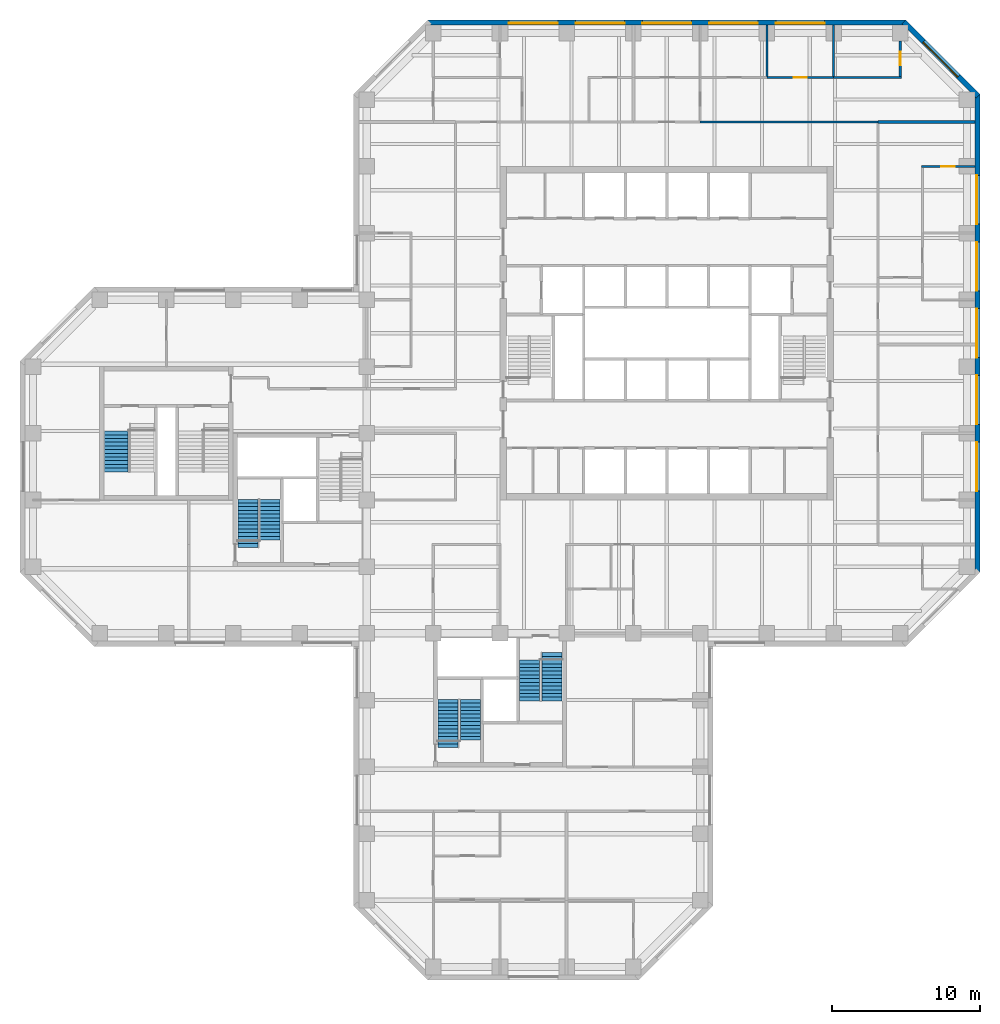
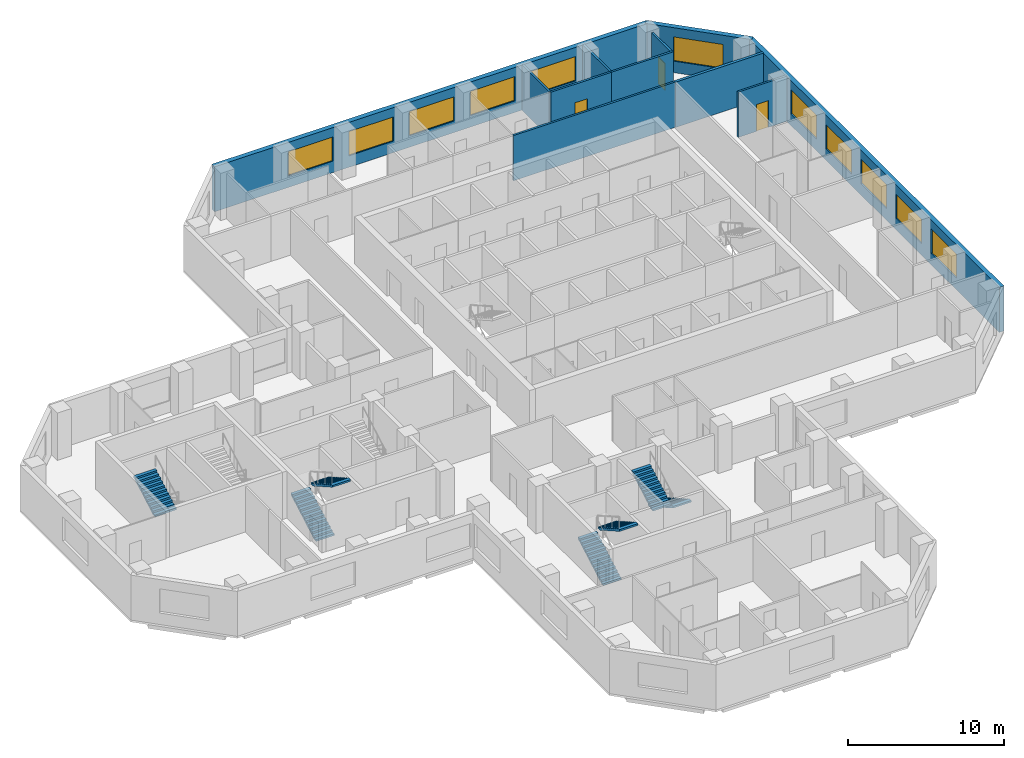
# One storey, part 9 of 11: 11 walls, 11 windows, 7 stair flights, 3 doors, 14 openings, 4 elements without a shape of their own.
"""IFC4 building model written with IfcOpenShell, lengths in metres."""

from ifc_helpers import new_model, si_unit, direction, frame, frame_2d, origin, place, context, subcontext, project, spatial, polyline, rectangle, outline, extrude, material, layer, layer_set, constituent, constituent_set, type_object, element, fill, aggregate, save


model = new_model("IFC4")

# Units and contexts
model_context = context("Model", 3, precision=1e-05, world=origin(), true_north=direction((0.0, 1.0)))
body_context = subcontext(model_context, "Body", "Model", "MODEL_VIEW")
ifc_project = project(units=[si_unit("LENGTHUNIT", "METRE"), si_unit("AREAUNIT", "SQUARE_METRE"), si_unit("VOLUMEUNIT", "CUBIC_METRE"), si_unit("PLANEANGLEUNIT", "RADIAN"), si_unit("MASSUNIT", "GRAM", prefix="KILO")], contexts=[model_context])

# Site, building, storey
site_placement = place(None, origin())
site = spatial("IfcSite", under=ifc_project, at=site_placement, CompositionType="ELEMENT")
building_placement = place(site_placement, origin())
building = spatial("IfcBuilding", under=site, at=building_placement, Name="Quoin Convention Tower", CompositionType="ELEMENT")
storey_placement = place(building_placement, frame((0.0, 0.0, 119.60009765625)))
storey = spatial("IfcBuildingStorey", under=building, at=storey_placement, Name="L31", CompositionType="ELEMENT", Elevation=119.60009765625)

# Wall, opening, door
ifc_material_1 = material(Name="Plasterboard")
ifc_layer_1 = layer(ifc_material_1, 0.012451171875, Name="Finish")
ifc_material_2 = material(Name="Steel stud framing", Category="steel")
ifc_layer_2 = layer(ifc_material_2, 0.125, Name="Structure")
ifc_layer_3 = layer(ifc_material_1, 0.012451171875, Name="Finish")
ifc_layer_set_1 = layer_set([ifc_layer_1, ifc_layer_2, ifc_layer_3], Name="Steel stud framing")
wall_type_1 = type_object("IfcWallType", Name="Acoustic partition 150", PredefinedType="PARTITIONING", material=ifc_layer_set_1)
wall_1_placement = place(storey_placement, frame((73.425048828125, 72.0, 0.0), z_axis=(0.0, 0.0, 1.0), x_axis=(1.0, 0.0, 0.0)))
wall_1 = element("IfcWall", 1, at=wall_1_placement, inside=storey, type_object=wall_type_1, Name="pw-L31-043", PredefinedType="PARTITIONING", context=body_context, shape_type="SweptSolid", body=[
    extrude(rectangle(XDim=3.599853515625, YDim=0.14990234375, at=frame_2d((1.7998046875, 0.0))), origin(), (0.0, 0.0, 1.0), 3.5498046875),
])
opening_1_placement = place(wall_1_placement, frame((1.35009765625, 0.0, 0.0)))
opening_1 = element("IfcOpeningElement", 2, at=opening_1_placement, cuts=wall_1, Name="Opening DOL6-16", PredefinedType="OPENING", context=body_context, shape_type="SweptSolid", body=[
    extrude(rectangle(XDim=0.89990234375, YDim=2.10009765625, at=frame_2d((0.449951171875, 1.050048828125))), frame((0.0, 0.0849609375, 0.0), z_axis=(0.0, -1.0, 0.0), x_axis=(1.0, 0.0, 0.0)), (0.0, 0.0, 1.0), 0.169921875),
])
ifc_material_3 = material(Name="Steel door leaf", Category="steel")
door_type = type_object("IfcDoorType", Name="Office door 900 x 2100", OperationType="SINGLE_SWING_RIGHT", PredefinedType="DOOR", material=ifc_material_3)
door_1_placement = place(opening_1_placement, origin())
door_1 = element("IfcDoor", 3, at=door_1_placement, inside=storey, type_object=door_type, Name="dr-L31-28", OperationType="SINGLE_SWING_RIGHT", OverallHeight=2.10009765625, OverallWidth=0.89990234375, PredefinedType="DOOR", context=body_context, shape_type="SweptSolid", body=[
    extrude(rectangle(XDim=0.89990234375, YDim=2.10009765625, at=frame_2d((0.449951171875, 1.050048828125))), frame((0.0, 0.02490234375, 0.0), z_axis=(0.0, -1.0, 0.0), x_axis=(1.0, 0.0, 0.0)), (0.0, 0.0, 1.0), 0.050048828125),
])
fill(opening_1, door_1)

wall_2_placement = place(storey_placement, frame((63.0, 78.0, 0.0), z_axis=(0.0, 0.0, 1.0), x_axis=(1.0, 0.0, 0.0)))
wall_2 = element("IfcWall", 4, at=wall_2_placement, inside=storey, type_object=wall_type_1, Name="pw-L31-057", PredefinedType="PARTITIONING", context=body_context, shape_type="SweptSolid", body=[
    extrude(rectangle(XDim=4.5, YDim=0.14990234375, at=frame_2d((2.25, 0.0))), origin(), (0.0, 0.0, 1.0), 3.5498046875),
])
opening_2_placement = place(wall_2_placement, frame((1.800048828125, 0.0, 0.0)))
opening_2 = element("IfcOpeningElement", 5, at=opening_2_placement, cuts=wall_2, Name="Opening DOL6-22", PredefinedType="OPENING", context=body_context, shape_type="SweptSolid", body=[
    extrude(rectangle(XDim=0.89990234375, YDim=2.10009765625, at=frame_2d((0.449951171875, 1.050048828125))), frame((0.0, 0.0849609375, 0.0), z_axis=(0.0, -1.0, 0.0), x_axis=(1.0, 0.0, 0.0)), (0.0, 0.0, 1.0), 0.169921875),
])
door_2_placement = place(opening_2_placement, frame((0.89990234375, 0.0, 0.0), z_axis=(0.0, 0.0, 1.0), x_axis=(-1.0, 0.0, 0.0)))
door_2 = element("IfcDoor", 6, at=door_2_placement, inside=storey, type_object=door_type, Name="dr-L31-38", OperationType="SINGLE_SWING_LEFT", OverallHeight=2.10009765625, OverallWidth=0.89990234375, PredefinedType="DOOR", context=body_context, shape_type="SweptSolid", body=[
    extrude(rectangle(XDim=0.89990234375, YDim=2.10009765625, at=frame_2d((0.449951171875, 1.050048828125))), frame((0.0, 0.02490234375, 0.0), z_axis=(0.0, -1.0, 0.0), x_axis=(1.0, 0.0, 0.0)), (0.0, 0.0, 1.0), 0.050048828125),
])
fill(opening_2, door_2)

# Walls
wall_3_placement = place(storey_placement, frame((67.5, 78.0, 0.0), z_axis=(0.0, 0.0, 1.0), x_axis=(1.0, 0.0, 0.0)))
element("IfcWall", 7, at=wall_3_placement, inside=storey, type_object=wall_type_1, Name="pw-L31-058", PredefinedType="PARTITIONING", context=body_context, shape_type="SweptSolid", body=[
    extrude(rectangle(XDim=4.574951171875, YDim=0.14990234375, at=frame_2d((2.28759765625, 0.0))), origin(), (0.0, 0.0, 1.0), 3.5498046875),
])
for number, where, z_axis, x_axis, name in (
    (8, (63.0, 78.074951171875, 0.0), (0.0, 0.0, 1.0), (0.0, 1.0, 0.0), "pw-L31-107"),
    (9, (67.5, 78.074951171875, 0.0), (0.0, 0.0, 1.0), (0.0, 1.0, 0.0), "pw-L31-108"),
):
    element("IfcWall", number, at=place(storey_placement, frame(where, z_axis=z_axis, x_axis=x_axis)), inside=storey, type_object=wall_type_1, Name=name, PredefinedType="PARTITIONING", context=body_context, shape_type="SweptSolid", body=[
        extrude(rectangle(XDim=3.449951171875, YDim=0.14990234375, at=frame_2d((1.72509765625, 0.0))), origin(), (0.0, 0.0, 1.0), 3.5498046875),
    ])

# Wall, opening, door
wall_4_placement = place(storey_placement, frame((72.0, 78.074951171875, 0.0), z_axis=(0.0, 0.0, 1.0), x_axis=(0.0, 1.0, 0.0)))
wall_4 = element("IfcWall", 10, at=wall_4_placement, inside=storey, type_object=wall_type_1, Name="pw-L31-109", PredefinedType="PARTITIONING", context=body_context, shape_type="SweptSolid", body=[
    extrude(rectangle(XDim=2.400146484375, YDim=0.14990234375, at=frame_2d((1.2001953125, 0.0))), origin(), (0.0, 0.0, 1.0), 3.5498046875),
])
opening_3_placement = place(wall_4_placement, frame((0.75, 0.0, 0.0)))
opening_3 = element("IfcOpeningElement", 11, at=opening_3_placement, cuts=wall_4, Name="Opening DOL6-37", PredefinedType="OPENING", context=body_context, shape_type="SweptSolid", body=[
    extrude(rectangle(XDim=0.89990234375, YDim=2.10009765625, at=frame_2d((0.449951171875, 1.050048828125))), frame((0.0, 0.0849609375, 0.0), z_axis=(0.0, -1.0, 0.0), x_axis=(1.0, 0.0, 0.0)), (0.0, 0.0, 1.0), 0.169921875),
])
door_3_placement = place(opening_3_placement, frame((0.89990234375, 0.0, 0.0), z_axis=(0.0, 0.0, 1.0), x_axis=(-1.0, 0.0, 0.0)))
door_3 = element("IfcDoor", 12, at=door_3_placement, inside=storey, type_object=door_type, Name="dr-L31-39", OperationType="SINGLE_SWING_LEFT", OverallHeight=2.10009765625, OverallWidth=0.89990234375, PredefinedType="DOOR", context=body_context, shape_type="SweptSolid", body=[
    extrude(rectangle(XDim=0.89990234375, YDim=2.10009765625, at=frame_2d((0.449951171875, 1.050048828125))), frame((0.0, 0.02490234375, 0.0), z_axis=(0.0, -1.0, 0.0), x_axis=(1.0, 0.0, 0.0)), (0.0, 0.0, 1.0), 0.050048828125),
])
fill(opening_3, door_3)

# Wall, openings, windows
ifc_material_4 = material(Name="Brick masonry", Category="masonry")
ifc_layer_4 = layer(ifc_material_4, 0.35009765625)
ifc_layer_set_2 = layer_set([ifc_layer_4], Name="Brick masonry")
wall_type_2 = type_object("IfcWallType", Name="Brick facade wall", PredefinedType="STANDARD", material=ifc_layer_set_2)
wall_5_placement = place(storey_placement, frame((77.199951171875, 44.6376953125, 0.0), z_axis=(0.0, 0.0, 1.0), x_axis=(0.0, 1.0, 0.0)))
wall_5 = element("IfcWall", 13, at=wall_5_placement, inside=storey, type_object=wall_type_2, Name="fw-L31-76500_45000", PredefinedType="STANDARD", context=body_context, shape_type="SweptSolid", body=[
    extrude(rectangle(XDim=32.224609375, YDim=0.35009765625, at=frame_2d((16.1123046875, 0.0))), origin(), (0.0, 0.0, 1.0), 3.52490234375),
])
opening_4_placement = place(wall_5_placement, frame((5.46240234375, 0.0, 0.89990234375)))
opening_4 = element("IfcOpeningElement", 14, at=opening_4_placement, cuts=wall_5, Name="Opening W-02", PredefinedType="OPENING", context=body_context, shape_type="SweptSolid", body=[
    extrude(rectangle(XDim=3.300048828125, YDim=1.89990234375, at=frame_2d((1.64990234375, 0.949951171875))), frame((0.0, 0.18505859375, 0.0), z_axis=(0.0, -1.0, 0.0), x_axis=(1.0, 0.0, 0.0)), (0.0, 0.0, 1.0), 0.3701171875),
])
opening_5_placement = place(wall_5_placement, frame((9.96240234375, 0.0, 0.89990234375)))
opening_5 = element("IfcOpeningElement", 15, at=opening_5_placement, cuts=wall_5, Name="Opening W-02", PredefinedType="OPENING", context=body_context, shape_type="SweptSolid", body=[
    extrude(rectangle(XDim=3.300048828125, YDim=1.89990234375, at=frame_2d((1.64990234375, 0.949951171875))), frame((0.0, 0.18505859375, 0.0), z_axis=(0.0, -1.0, 0.0), x_axis=(1.0, 0.0, 0.0)), (0.0, 0.0, 1.0), 0.3701171875),
])
opening_6_placement = place(wall_5_placement, frame((14.46240234375, 0.0, 0.89990234375)))
opening_6 = element("IfcOpeningElement", 16, at=opening_6_placement, cuts=wall_5, Name="Opening W-02", PredefinedType="OPENING", context=body_context, shape_type="SweptSolid", body=[
    extrude(rectangle(XDim=3.300048828125, YDim=1.89990234375, at=frame_2d((1.64990234375, 0.949951171875))), frame((0.0, 0.18505859375, 0.0), z_axis=(0.0, -1.0, 0.0), x_axis=(1.0, 0.0, 0.0)), (0.0, 0.0, 1.0), 0.3701171875),
])
opening_7_placement = place(wall_5_placement, frame((18.96240234375, 0.0, 0.89990234375)))
opening_7 = element("IfcOpeningElement", 17, at=opening_7_placement, cuts=wall_5, Name="Opening W-02", PredefinedType="OPENING", context=body_context, shape_type="SweptSolid", body=[
    extrude(rectangle(XDim=3.300048828125, YDim=1.89990234375, at=frame_2d((1.64990234375, 0.949951171875))), frame((0.0, 0.18505859375, 0.0), z_axis=(0.0, -1.0, 0.0), x_axis=(1.0, 0.0, 0.0)), (0.0, 0.0, 1.0), 0.3701171875),
])
opening_8_placement = place(wall_5_placement, frame((23.46240234375, 0.0, 0.89990234375)))
opening_8 = element("IfcOpeningElement", 18, at=opening_8_placement, cuts=wall_5, Name="Opening W-02", PredefinedType="OPENING", context=body_context, shape_type="SweptSolid", body=[
    extrude(rectangle(XDim=3.300048828125, YDim=1.89990234375, at=frame_2d((1.64990234375, 0.949951171875))), frame((0.0, 0.18505859375, 0.0), z_axis=(0.0, -1.0, 0.0), x_axis=(1.0, 0.0, 0.0)), (0.0, 0.0, 1.0), 0.3701171875),
])
ifc_material_5 = material(Name="Aluminium", Category="aluminium")
ifc_constituent_1 = constituent(ifc_material_5, Name="Frame")
ifc_material_6 = material(Name="Insulated glass", Category="glass")
ifc_constituent_2 = constituent(ifc_material_6, Name="Glazing")
ifc_constituent_set = constituent_set(constituents=[ifc_constituent_1, ifc_constituent_2], Name="Aluminium")
window_type = type_object("IfcWindowType", Name="Office window", PartitioningType="DOUBLE_PANEL_VERTICAL", PredefinedType="WINDOW", material=ifc_constituent_set)
window_1_placement = place(opening_4_placement, origin())
window_1 = element("IfcWindow", 19, at=window_1_placement, inside=storey, type_object=window_type, Name="win-L31-77200_51750", OverallHeight=1.89990234375, OverallWidth=3.300048828125, PartitioningType="SINGLE_PANEL", PredefinedType="WINDOW", context=body_context, shape_type="SweptSolid", body=[
    extrude(rectangle(XDim=3.300048828125, YDim=1.89990234375, at=frame_2d((1.64990234375, 0.949951171875))), frame((0.0, 0.0849609375, 0.0), z_axis=(0.0, -1.0, 0.0), x_axis=(1.0, 0.0, 0.0)), (0.0, 0.0, 1.0), 0.06005859375),
])
fill(opening_4, window_1)
window_2_placement = place(opening_5_placement, origin())
window_2 = element("IfcWindow", 20, at=window_2_placement, inside=storey, type_object=window_type, Name="win-L31-77200_56250", OverallHeight=1.89990234375, OverallWidth=3.300048828125, PartitioningType="SINGLE_PANEL", PredefinedType="WINDOW", context=body_context, shape_type="SweptSolid", body=[
    extrude(rectangle(XDim=3.300048828125, YDim=1.89990234375, at=frame_2d((1.64990234375, 0.949951171875))), frame((0.0, 0.0849609375, 0.0), z_axis=(0.0, -1.0, 0.0), x_axis=(1.0, 0.0, 0.0)), (0.0, 0.0, 1.0), 0.06005859375),
])
fill(opening_5, window_2)
window_3_placement = place(opening_6_placement, origin())
window_3 = element("IfcWindow", 21, at=window_3_placement, inside=storey, type_object=window_type, Name="win-L31-77200_60750", OverallHeight=1.89990234375, OverallWidth=3.300048828125, PartitioningType="SINGLE_PANEL", PredefinedType="WINDOW", context=body_context, shape_type="SweptSolid", body=[
    extrude(rectangle(XDim=3.300048828125, YDim=1.89990234375, at=frame_2d((1.64990234375, 0.949951171875))), frame((0.0, 0.0849609375, 0.0), z_axis=(0.0, -1.0, 0.0), x_axis=(1.0, 0.0, 0.0)), (0.0, 0.0, 1.0), 0.06005859375),
])
fill(opening_6, window_3)
window_4_placement = place(opening_7_placement, origin())
window_4 = element("IfcWindow", 22, at=window_4_placement, inside=storey, type_object=window_type, Name="win-L31-77200_65250", OverallHeight=1.89990234375, OverallWidth=3.300048828125, PartitioningType="SINGLE_PANEL", PredefinedType="WINDOW", context=body_context, shape_type="SweptSolid", body=[
    extrude(rectangle(XDim=3.300048828125, YDim=1.89990234375, at=frame_2d((1.64990234375, 0.949951171875))), frame((0.0, 0.0849609375, 0.0), z_axis=(0.0, -1.0, 0.0), x_axis=(1.0, 0.0, 0.0)), (0.0, 0.0, 1.0), 0.06005859375),
])
fill(opening_7, window_4)
window_5_placement = place(opening_8_placement, origin())
window_5 = element("IfcWindow", 23, at=window_5_placement, inside=storey, type_object=window_type, Name="win-L31-77200_69750", OverallHeight=1.89990234375, OverallWidth=3.300048828125, PartitioningType="SINGLE_PANEL", PredefinedType="WINDOW", context=body_context, shape_type="SweptSolid", body=[
    extrude(rectangle(XDim=3.300048828125, YDim=1.89990234375, at=frame_2d((1.64990234375, 0.949951171875))), frame((0.0, 0.0849609375, 0.0), z_axis=(0.0, -1.0, 0.0), x_axis=(1.0, 0.0, 0.0)), (0.0, 0.0, 1.0), 0.06005859375),
])
fill(opening_8, window_5)

# Wall, opening, window
wall_6_placement = place(storey_placement, frame((77.251220703125, 76.73876953125, 0.0), z_axis=(0.0, 0.0, 1.0), x_axis=(-0.707106781187, 0.707106781187, 0.0)))
wall_6 = element("IfcWall", 24, at=wall_6_placement, inside=storey, type_object=wall_type_2, Name="fw-L31-76500_76500", PredefinedType="STANDARD", context=body_context, shape_type="SweptSolid", body=[
    extrude(rectangle(XDim=7.088623046875, YDim=0.35009765625, at=frame_2d((3.54443359375, 0.0))), origin(), (0.0, 0.0, 1.0), 3.52490234375),
])
opening_9_placement = place(wall_6_placement, frame((1.894287109375, 0.0, 0.89990234375)))
opening_9 = element("IfcOpeningElement", 25, at=opening_9_placement, cuts=wall_6, Name="Opening W-02", PredefinedType="OPENING", context=body_context, shape_type="SweptSolid", body=[
    extrude(rectangle(XDim=3.300048828125, YDim=1.89990234375, at=frame_2d((1.64990234375, 0.949951171875))), frame((0.0, 0.18505859375, 0.0), z_axis=(0.0, -1.0, 0.0), x_axis=(1.0, 0.0, 0.0)), (0.0, 0.0, 1.0), 0.3701171875),
])
window_6_placement = place(opening_9_placement, origin())
window_6 = element("IfcWindow", 26, at=window_6_placement, inside=storey, type_object=window_type, Name="win-L31-74745_79245", OverallHeight=1.89990234375, OverallWidth=3.300048828125, PartitioningType="SINGLE_PANEL", PredefinedType="WINDOW", context=body_context, shape_type="SweptSolid", body=[
    extrude(rectangle(XDim=3.300048828125, YDim=1.89990234375, at=frame_2d((1.64990234375, 0.949951171875))), frame((0.0, 0.0849609375, 0.0), z_axis=(0.0, -1.0, 0.0), x_axis=(1.0, 0.0, 0.0)), (0.0, 0.0, 1.0), 0.06005859375),
])
fill(opening_9, window_6)

# Wall, openings, windows
wall_7_placement = place(storey_placement, frame((72.3623046875, 81.699951171875, 0.0), z_axis=(0.0, 0.0, 1.0), x_axis=(-1.0, 0.0, 0.0)))
wall_7 = element("IfcWall", 27, at=wall_7_placement, inside=storey, type_object=wall_type_2, Name="fw-L31-72000_81000", PredefinedType="STANDARD", context=body_context, shape_type="SweptSolid", body=[
    extrude(rectangle(XDim=32.224609375, YDim=0.35009765625, at=frame_2d((16.1123046875, 0.0))), origin(), (0.0, 0.0, 1.0), 3.52490234375),
])
opening_10_placement = place(wall_7_placement, frame((5.46240234375, 0.0, 0.89990234375)))
opening_10 = element("IfcOpeningElement", 28, at=opening_10_placement, cuts=wall_7, Name="Opening W-02", PredefinedType="OPENING", context=body_context, shape_type="SweptSolid", body=[
    extrude(rectangle(XDim=3.300048828125, YDim=1.89990234375, at=frame_2d((1.64990234375, 0.949951171875))), frame((0.0, 0.18505859375, 0.0), z_axis=(0.0, -1.0, 0.0), x_axis=(1.0, 0.0, 0.0)), (0.0, 0.0, 1.0), 0.3701171875),
])
opening_11_placement = place(wall_7_placement, frame((9.96240234375, 0.0, 0.89990234375)))
opening_11 = element("IfcOpeningElement", 29, at=opening_11_placement, cuts=wall_7, Name="Opening W-02", PredefinedType="OPENING", context=body_context, shape_type="SweptSolid", body=[
    extrude(rectangle(XDim=3.300048828125, YDim=1.89990234375, at=frame_2d((1.64990234375, 0.949951171875))), frame((0.0, 0.18505859375, 0.0), z_axis=(0.0, -1.0, 0.0), x_axis=(1.0, 0.0, 0.0)), (0.0, 0.0, 1.0), 0.3701171875),
])
opening_12_placement = place(wall_7_placement, frame((14.46240234375, 0.0, 0.89990234375)))
opening_12 = element("IfcOpeningElement", 30, at=opening_12_placement, cuts=wall_7, Name="Opening W-02", PredefinedType="OPENING", context=body_context, shape_type="SweptSolid", body=[
    extrude(rectangle(XDim=3.300048828125, YDim=1.89990234375, at=frame_2d((1.64990234375, 0.949951171875))), frame((0.0, 0.18505859375, 0.0), z_axis=(0.0, -1.0, 0.0), x_axis=(1.0, 0.0, 0.0)), (0.0, 0.0, 1.0), 0.3701171875),
])
opening_13_placement = place(wall_7_placement, frame((18.96240234375, 0.0, 0.89990234375)))
opening_13 = element("IfcOpeningElement", 31, at=opening_13_placement, cuts=wall_7, Name="Opening W-02", PredefinedType="OPENING", context=body_context, shape_type="SweptSolid", body=[
    extrude(rectangle(XDim=3.300048828125, YDim=1.89990234375, at=frame_2d((1.64990234375, 0.949951171875))), frame((0.0, 0.18505859375, 0.0), z_axis=(0.0, -1.0, 0.0), x_axis=(1.0, 0.0, 0.0)), (0.0, 0.0, 1.0), 0.3701171875),
])
opening_14_placement = place(wall_7_placement, frame((23.46240234375, 0.0, 0.89990234375)))
opening_14 = element("IfcOpeningElement", 32, at=opening_14_placement, cuts=wall_7, Name="Opening W-02", PredefinedType="OPENING", context=body_context, shape_type="SweptSolid", body=[
    extrude(rectangle(XDim=3.300048828125, YDim=1.89990234375, at=frame_2d((1.64990234375, 0.949951171875))), frame((0.0, 0.18505859375, 0.0), z_axis=(0.0, -1.0, 0.0), x_axis=(1.0, 0.0, 0.0)), (0.0, 0.0, 1.0), 0.3701171875),
])
window_7_placement = place(opening_10_placement, origin())
window_7 = element("IfcWindow", 33, at=window_7_placement, inside=storey, type_object=window_type, Name="win-L31-65250_81700", OverallHeight=1.89990234375, OverallWidth=3.300048828125, PartitioningType="SINGLE_PANEL", PredefinedType="WINDOW", context=body_context, shape_type="SweptSolid", body=[
    extrude(rectangle(XDim=3.300048828125, YDim=1.89990234375, at=frame_2d((1.64990234375, 0.949951171875))), frame((0.0, 0.0849609375, 0.0), z_axis=(0.0, -1.0, 0.0), x_axis=(1.0, 0.0, 0.0)), (0.0, 0.0, 1.0), 0.06005859375),
])
fill(opening_10, window_7)
window_8_placement = place(opening_11_placement, origin())
window_8 = element("IfcWindow", 34, at=window_8_placement, inside=storey, type_object=window_type, Name="win-L31-60750_81700", OverallHeight=1.89990234375, OverallWidth=3.300048828125, PartitioningType="SINGLE_PANEL", PredefinedType="WINDOW", context=body_context, shape_type="SweptSolid", body=[
    extrude(rectangle(XDim=3.300048828125, YDim=1.89990234375, at=frame_2d((1.64990234375, 0.949951171875))), frame((0.0, 0.0849609375, 0.0), z_axis=(0.0, -1.0, 0.0), x_axis=(1.0, 0.0, 0.0)), (0.0, 0.0, 1.0), 0.06005859375),
])
fill(opening_11, window_8)
window_9_placement = place(opening_12_placement, origin())
window_9 = element("IfcWindow", 35, at=window_9_placement, inside=storey, type_object=window_type, Name="win-L31-56250_81700", OverallHeight=1.89990234375, OverallWidth=3.300048828125, PartitioningType="SINGLE_PANEL", PredefinedType="WINDOW", context=body_context, shape_type="SweptSolid", body=[
    extrude(rectangle(XDim=3.300048828125, YDim=1.89990234375, at=frame_2d((1.64990234375, 0.949951171875))), frame((0.0, 0.0849609375, 0.0), z_axis=(0.0, -1.0, 0.0), x_axis=(1.0, 0.0, 0.0)), (0.0, 0.0, 1.0), 0.06005859375),
])
fill(opening_12, window_9)
window_10_placement = place(opening_13_placement, origin())
window_10 = element("IfcWindow", 36, at=window_10_placement, inside=storey, type_object=window_type, Name="win-L31-51750_81700", OverallHeight=1.89990234375, OverallWidth=3.300048828125, PartitioningType="SINGLE_PANEL", PredefinedType="WINDOW", context=body_context, shape_type="SweptSolid", body=[
    extrude(rectangle(XDim=3.300048828125, YDim=1.89990234375, at=frame_2d((1.64990234375, 0.949951171875))), frame((0.0, 0.0849609375, 0.0), z_axis=(0.0, -1.0, 0.0), x_axis=(1.0, 0.0, 0.0)), (0.0, 0.0, 1.0), 0.06005859375),
])
fill(opening_13, window_10)
window_11_placement = place(opening_14_placement, origin())
window_11 = element("IfcWindow", 37, at=window_11_placement, inside=storey, type_object=window_type, Name="win-L31-47250_81700", OverallHeight=1.89990234375, OverallWidth=3.300048828125, PartitioningType="SINGLE_PANEL", PredefinedType="WINDOW", context=body_context, shape_type="SweptSolid", body=[
    extrude(rectangle(XDim=3.300048828125, YDim=1.89990234375, at=frame_2d((1.64990234375, 0.949951171875))), frame((0.0, 0.0849609375, 0.0), z_axis=(0.0, -1.0, 0.0), x_axis=(1.0, 0.0, 0.0)), (0.0, 0.0, 1.0), 0.06005859375),
])
fill(opening_14, window_11)

# Walls
ifc_layer_5 = layer(ifc_material_1, 0.012451171875, Name="Finish")
ifc_layer_6 = layer(ifc_material_2, 0.125, Name="Structure")
ifc_layer_7 = layer(ifc_material_1, 0.012451171875, Name="Finish")
ifc_layer_set_3 = layer_set([ifc_layer_5, ifc_layer_6, ifc_layer_7], Name="Steel stud framing")
wall_type_3 = type_object("IfcWallType", Name="Corridor wall 150", PredefinedType="PARTITIONING", material=ifc_layer_set_3)
wall_8_placement = place(storey_placement, frame((58.5, 75.0, 0.0), z_axis=(0.0, 0.0, 1.0), x_axis=(1.0, 0.0, 0.0)))
element("IfcWall", 38, at=wall_8_placement, inside=storey, type_object=wall_type_3, Name="pw-L31-050", PredefinedType="PARTITIONING", context=body_context, shape_type="SweptSolid", body=[
    extrude(rectangle(XDim=12.0, YDim=0.14990234375, at=frame_2d((6.0, 0.0))), origin(), (0.0, 0.0, 1.0), 3.5498046875),
])
ifc_layer_8 = layer(ifc_material_1, 0.012451171875, Name="Finish")
ifc_layer_9 = layer(ifc_material_2, 0.175048828125, Name="Structure")
ifc_layer_10 = layer(ifc_material_1, 0.012451171875, Name="Finish")
ifc_layer_set_4 = layer_set([ifc_layer_8, ifc_layer_9, ifc_layer_10], Name="Steel stud framing")
wall_type_4 = type_object("IfcWallType", Name="Tenancy demising wall 200", PredefinedType="PARTITIONING", material=ifc_layer_set_4)
wall_9_placement = place(storey_placement, frame((70.5, 75.0, 0.0), z_axis=(0.0, 0.0, 1.0), x_axis=(1.0, 0.0, 0.0)))
element("IfcWall", 39, at=wall_9_placement, inside=storey, type_object=wall_type_4, Name="pw-L31-051", PredefinedType="PARTITIONING", context=body_context, shape_type="SweptSolid", body=[
    extrude(rectangle(XDim=6.52490234375, YDim=0.199951171875, at=frame_2d((3.262451171875, 0.0))), origin(), (0.0, 0.0, 1.0), 3.5498046875),
])

# Stair, stair flights
ifc_material_7 = material(Name="Concrete C40", Category="concrete")
stair_type_1 = type_object("IfcStairType", Name="Exit stair two-flight 1350", PredefinedType="HALF_TURN_STAIR", material=ifc_material_7)
stair_1_placement = place(storey_placement, origin())
stair_1 = element("IfcStair", 40, at=stair_1_placement, inside=storey, type_object=stair_type_1, Name="SD3 L31", PredefinedType="HALF_TURN_STAIR")
stair_flight_type_1 = type_object("IfcStairFlightType", Name="Stair flight 1350", PredefinedType="STRAIGHT", material=ifc_material_7)
stair_flight_1_placement = place(storey_placement, frame((28.0, 46.300048828125, 0.0), z_axis=(0.0, 0.0, 1.0), x_axis=(0.0, 1.0, 0.0)))
stair_flight_1 = element("IfcStairFlight", 41, at=stair_flight_1_placement, type_object=stair_flight_type_1, Name="ST3 flight 1", NumberOfRisers=14, NumberOfTreads=13, PredefinedType="STRAIGHT", RiserHeight=0.142307692, TreadLength=0.25, context=body_context, shape_type="SweptSolid", body=[
    extrude(outline(polyline([(0.0, 0.0), (0.0, 0.142333984375), (0.25, 0.142333984375), (0.25, 0.28466796875), (0.5, 0.28466796875), (0.5, 0.427001953125), (0.75, 0.427001953125), (0.75, 0.5693359375), (1.0, 0.5693359375), (1.0, 0.71142578125), (1.25, 0.71142578125), (1.25, 0.853759765625), (1.5, 0.853759765625), (1.5, 0.99609375), (1.75, 0.99609375), (1.75, 1.138427734375), (2.0, 1.138427734375), (2.0, 1.28076171875), (2.25, 1.28076171875), (2.25, 1.423095703125), (2.5, 1.423095703125), (2.5, 1.5654296875), (2.75, 1.5654296875), (2.75, 1.707763671875), (3.0, 1.707763671875), (3.0, 1.85009765625), (3.25, 1.85009765625), (3.25, 1.9921875), (3.25, 1.711669921875), (0.242919921875, 0.0), (0.0, 0.0)])), frame((0.0, 0.675048828125, 0.0), z_axis=(0.0, -1.0, 0.0), x_axis=(1.0, 0.0, 0.0)), (0.0, 0.0, 1.0), 1.35009765625),
])
stair_flight_2_placement = place(storey_placement, frame((29.5, 49.550048828125, 1.9921875), z_axis=(0.0, 0.0, 1.0), x_axis=(0.0, -1.0, 0.0)))
stair_flight_2 = element("IfcStairFlight", 42, at=stair_flight_2_placement, type_object=stair_flight_type_1, Name="ST3 flight 2", NumberOfRisers=12, NumberOfTreads=11, PredefinedType="STRAIGHT", RiserHeight=0.142307692, TreadLength=0.25, context=body_context, shape_type="SweptSolid", body=[
    extrude(outline(polyline([(0.0, 0.0), (0.0, 0.142333984375), (0.25, 0.142333984375), (0.25, 0.28466796875), (0.5, 0.28466796875), (0.5, 0.427001953125), (0.75, 0.427001953125), (0.75, 0.5693359375), (1.0, 0.5693359375), (1.0, 0.71142578125), (1.25, 0.71142578125), (1.25, 0.853759765625), (1.5, 0.853759765625), (1.5, 0.99609375), (1.75, 0.99609375), (1.75, 1.138427734375), (2.0, 1.138427734375), (2.0, 1.28076171875), (2.25, 1.28076171875), (2.25, 1.423095703125), (2.5, 1.423095703125), (2.5, 1.5654296875), (2.75, 1.5654296875), (2.75, 1.707763671875), (2.75, 1.42724609375), (0.242919921875, 0.0), (0.0, 0.0)])), frame((0.0, 0.675048828125, 0.0), z_axis=(0.0, -1.0, 0.0), x_axis=(1.0, 0.0, 0.0)), (0.0, 0.0, 1.0), 1.35009765625),
])
aggregate(stair_1, [stair_flight_1, stair_flight_2])

stair_2_placement = place(storey_placement, origin())
stair_2 = element("IfcStair", 43, at=stair_2_placement, inside=storey, type_object=stair_type_1, Name="SD5 L31", PredefinedType="HALF_TURN_STAIR")
stair_flight_3_placement = place(storey_placement, frame((41.5, 32.800048828125, 0.0), z_axis=(0.0, 0.0, 1.0), x_axis=(0.0, 1.0, 0.0)))
stair_flight_3 = element("IfcStairFlight", 44, at=stair_flight_3_placement, type_object=stair_flight_type_1, Name="ST5 flight 1", NumberOfRisers=14, NumberOfTreads=13, PredefinedType="STRAIGHT", RiserHeight=0.142307692, TreadLength=0.25, context=body_context, shape_type="SweptSolid", body=[
    extrude(outline(polyline([(0.0, 0.0), (0.0, 0.142333984375), (0.25, 0.142333984375), (0.25, 0.28466796875), (0.5, 0.28466796875), (0.5, 0.427001953125), (0.75, 0.427001953125), (0.75, 0.5693359375), (1.0, 0.5693359375), (1.0, 0.71142578125), (1.25, 0.71142578125), (1.25, 0.853759765625), (1.5, 0.853759765625), (1.5, 0.99609375), (1.75, 0.99609375), (1.75, 1.138427734375), (2.0, 1.138427734375), (2.0, 1.28076171875), (2.25, 1.28076171875), (2.25, 1.423095703125), (2.5, 1.423095703125), (2.5, 1.5654296875), (2.75, 1.5654296875), (2.75, 1.707763671875), (3.0, 1.707763671875), (3.0, 1.85009765625), (3.25, 1.85009765625), (3.25, 1.9921875), (3.25, 1.711669921875), (0.242919921875, 0.0), (0.0, 0.0)])), frame((0.0, 0.675048828125, 0.0), z_axis=(0.0, -1.0, 0.0), x_axis=(1.0, 0.0, 0.0)), (0.0, 0.0, 1.0), 1.35009765625),
])
stair_flight_4_placement = place(storey_placement, frame((43.0, 36.050048828125, 1.9921875), z_axis=(0.0, 0.0, 1.0), x_axis=(0.0, -1.0, 0.0)))
stair_flight_4 = element("IfcStairFlight", 45, at=stair_flight_4_placement, type_object=stair_flight_type_1, Name="ST5 flight 2", NumberOfRisers=12, NumberOfTreads=11, PredefinedType="STRAIGHT", RiserHeight=0.142307692, TreadLength=0.25, context=body_context, shape_type="SweptSolid", body=[
    extrude(outline(polyline([(0.0, 0.0), (0.0, 0.142333984375), (0.25, 0.142333984375), (0.25, 0.28466796875), (0.5, 0.28466796875), (0.5, 0.427001953125), (0.75, 0.427001953125), (0.75, 0.5693359375), (1.0, 0.5693359375), (1.0, 0.71142578125), (1.25, 0.71142578125), (1.25, 0.853759765625), (1.5, 0.853759765625), (1.5, 0.99609375), (1.75, 0.99609375), (1.75, 1.138427734375), (2.0, 1.138427734375), (2.0, 1.28076171875), (2.25, 1.28076171875), (2.25, 1.423095703125), (2.5, 1.423095703125), (2.5, 1.5654296875), (2.75, 1.5654296875), (2.75, 1.707763671875), (2.75, 1.42724609375), (0.242919921875, 0.0), (0.0, 0.0)])), frame((0.0, 0.675048828125, 0.0), z_axis=(0.0, -1.0, 0.0), x_axis=(1.0, 0.0, 0.0)), (0.0, 0.0, 1.0), 1.35009765625),
])
aggregate(stair_2, [stair_flight_3, stair_flight_4])

stair_3_placement = place(storey_placement, origin())
stair_3 = element("IfcStair", 46, at=stair_3_placement, inside=storey, type_object=stair_type_1, Name="SD6 L31", PredefinedType="HALF_TURN_STAIR")
stair_flight_5_placement = place(storey_placement, frame((48.5, 39.199951171875, 0.0), z_axis=(0.0, 0.0, 1.0), x_axis=(0.0, -1.0, 0.0)))
stair_flight_5 = element("IfcStairFlight", 47, at=stair_flight_5_placement, type_object=stair_flight_type_1, Name="ST6 flight 1", NumberOfRisers=14, NumberOfTreads=13, PredefinedType="STRAIGHT", RiserHeight=0.142307692, TreadLength=0.25, context=body_context, shape_type="SweptSolid", body=[
    extrude(outline(polyline([(0.0, 0.0), (0.0, 0.142333984375), (0.25, 0.142333984375), (0.25, 0.28466796875), (0.5, 0.28466796875), (0.5, 0.427001953125), (0.75, 0.427001953125), (0.75, 0.5693359375), (1.0, 0.5693359375), (1.0, 0.71142578125), (1.25, 0.71142578125), (1.25, 0.853759765625), (1.5, 0.853759765625), (1.5, 0.99609375), (1.75, 0.99609375), (1.75, 1.138427734375), (2.0, 1.138427734375), (2.0, 1.28076171875), (2.25, 1.28076171875), (2.25, 1.423095703125), (2.5, 1.423095703125), (2.5, 1.5654296875), (2.75, 1.5654296875), (2.75, 1.707763671875), (3.0, 1.707763671875), (3.0, 1.85009765625), (3.25, 1.85009765625), (3.25, 1.9921875), (3.25, 1.711669921875), (0.242919921875, 0.0), (0.0, 0.0)])), frame((0.0, 0.675048828125, 0.0), z_axis=(0.0, -1.0, 0.0), x_axis=(1.0, 0.0, 0.0)), (0.0, 0.0, 1.0), 1.35009765625),
])
stair_flight_6_placement = place(storey_placement, frame((47.0, 35.949951171875, 1.9921875), z_axis=(0.0, 0.0, 1.0), x_axis=(0.0, 1.0, 0.0)))
stair_flight_6 = element("IfcStairFlight", 48, at=stair_flight_6_placement, type_object=stair_flight_type_1, Name="ST6 flight 2", NumberOfRisers=12, NumberOfTreads=11, PredefinedType="STRAIGHT", RiserHeight=0.142307692, TreadLength=0.25, context=body_context, shape_type="SweptSolid", body=[
    extrude(outline(polyline([(0.0, 0.0), (0.0, 0.142333984375), (0.25, 0.142333984375), (0.25, 0.28466796875), (0.5, 0.28466796875), (0.5, 0.427001953125), (0.75, 0.427001953125), (0.75, 0.5693359375), (1.0, 0.5693359375), (1.0, 0.71142578125), (1.25, 0.71142578125), (1.25, 0.853759765625), (1.5, 0.853759765625), (1.5, 0.99609375), (1.75, 0.99609375), (1.75, 1.138427734375), (2.0, 1.138427734375), (2.0, 1.28076171875), (2.25, 1.28076171875), (2.25, 1.423095703125), (2.5, 1.423095703125), (2.5, 1.5654296875), (2.75, 1.5654296875), (2.75, 1.707763671875), (2.75, 1.42724609375), (0.242919921875, 0.0), (0.0, 0.0)])), frame((0.0, 0.675048828125, 0.0), z_axis=(0.0, -1.0, 0.0), x_axis=(1.0, 0.0, 0.0)), (0.0, 0.0, 1.0), 1.35009765625),
])
aggregate(stair_3, [stair_flight_5, stair_flight_6])

# Stair, stair flight
stair_type_2 = type_object("IfcStairType", Name="Exit stair two-flight 1600", PredefinedType="HALF_TURN_STAIR", material=ifc_material_7)
stair_4_placement = place(storey_placement, origin())
stair_4 = element("IfcStair", 49, at=stair_4_placement, inside=storey, type_object=stair_type_2, Name="SD11 L31", PredefinedType="HALF_TURN_STAIR")
stair_flight_type_2 = type_object("IfcStairFlightType", Name="Stair flight 1600", PredefinedType="STRAIGHT", material=ifc_material_7)
stair_flight_7_placement = place(storey_placement, frame((19.125, 51.39990234375, 1.9921875), z_axis=(0.0, 0.0, 1.0), x_axis=(0.0, 1.0, 0.0)))
stair_flight_7 = element("IfcStairFlight", 50, at=stair_flight_7_placement, type_object=stair_flight_type_2, Name="ST11 flight 2", NumberOfRisers=12, NumberOfTreads=11, PredefinedType="STRAIGHT", RiserHeight=0.142307692, TreadLength=0.25, context=body_context, shape_type="SweptSolid", body=[
    extrude(outline(polyline([(0.0, 0.0), (0.0, 0.142333984375), (0.25, 0.142333984375), (0.25, 0.28466796875), (0.5, 0.28466796875), (0.5, 0.427001953125), (0.75, 0.427001953125), (0.75, 0.5693359375), (1.0, 0.5693359375), (1.0, 0.71142578125), (1.25, 0.71142578125), (1.25, 0.853759765625), (1.5, 0.853759765625), (1.5, 0.99609375), (1.75, 0.99609375), (1.75, 1.138427734375), (2.0, 1.138427734375), (2.0, 1.28076171875), (2.25, 1.28076171875), (2.25, 1.423095703125), (2.5, 1.423095703125), (2.5, 1.5654296875), (2.75, 1.5654296875), (2.75, 1.707763671875), (2.75, 1.42724609375), (0.242919921875, 0.0), (0.0, 0.0)])), frame((0.0, 0.800048828125, 0.0), z_axis=(0.0, -1.0, 0.0), x_axis=(1.0, 0.0, 0.0)), (0.0, 0.0, 1.0), 1.60009765625),
])
aggregate(stair_4, [stair_flight_7])

save(model, "model.ifc")
